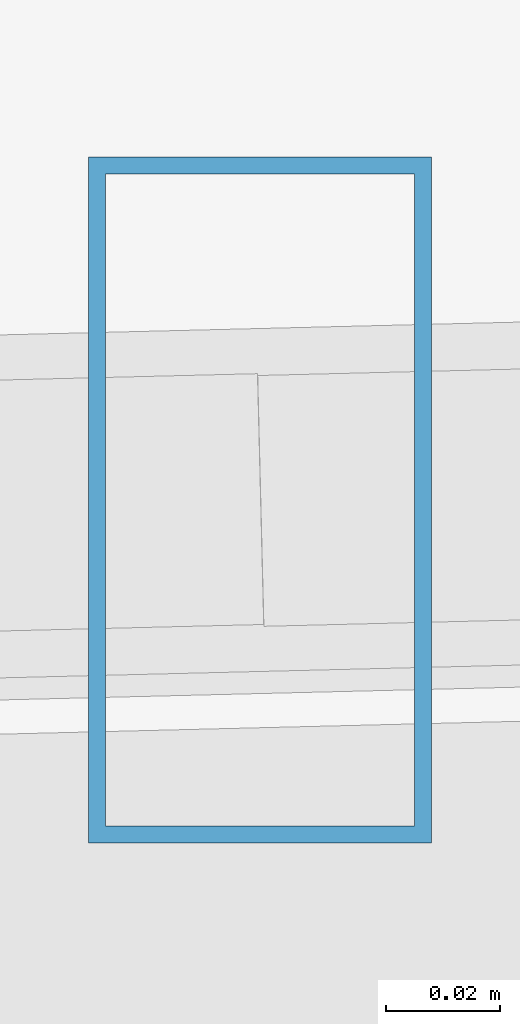
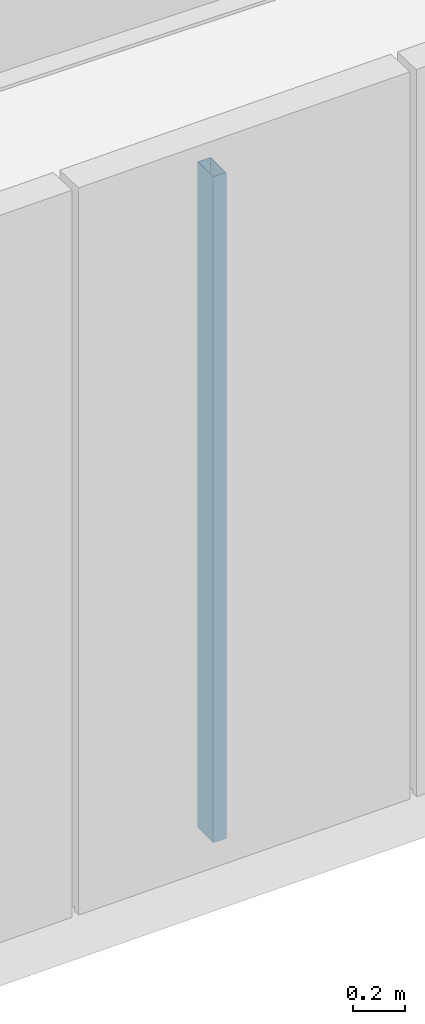
# One storey, part 5 of 44: 1 member, 1 element without a shape of its own.
"""IFC4 building model written with IfcOpenShell, lengths in metres."""

import ifcopenshell
import ifcopenshell.guid

model = None  # the IFC model being written
_history = None  # IfcOwnerHistory: only IFC2X3 demands one
_inside = {}  # id of a spatial element -> (the spatial element, [elements in it])
_under = {}  # id of a project, library or spatial element -> (it, [spatial elements below it])
_declared = {}  # id of a project -> (the project, [libraries it declares])
_typed = {}  # id of a type object -> (the type object, [elements of that type])
_made_of = {}  # id of a material, layer set ... -> (it, [elements and type objects made of it])


def new_model(schema):
    """Start an empty IFC model of exactly this schema.

    Asked for "IFC4X3", IfcOpenShell would pick the latest addendum, in which some entities
    have other attributes; the version numbers below select the first issue.
    IFC2X3 requires an IfcOwnerHistory on every rooted entity: one is made here for all.
    """
    global model, _history
    if schema == "IFC4X3":
        model = ifcopenshell.file(schema_version=(4, 3, 0, 0))
    else:
        model = ifcopenshell.file(schema=schema)
    _inside.clear()
    _under.clear()
    _declared.clear()
    _typed.clear()
    _made_of.clear()
    _history = None
    if model.schema == "IFC2X3":
        org = make("IfcOrganization", Name="unknown")
        user = make(
            "IfcPersonAndOrganization",
            ThePerson=make("IfcPerson", FamilyName="unknown"),
            TheOrganization=org,
        )
        app = make(
            "IfcApplication",
            ApplicationDeveloper=org,
            Version="unknown",
            ApplicationFullName="unknown",
            ApplicationIdentifier="unknown",
        )
        _history = make(
            "IfcOwnerHistory",
            OwningUser=user,
            OwningApplication=app,
            ChangeAction="ADDED",
            CreationDate=0,
        )
    return model


def make(cls, **values):
    """One entity of the class cls with the attributes given. An attribute that is None is left unset."""
    return model.create_entity(
        cls, **{name: value for name, value in values.items() if value is not None}
    )


def rooted(cls, **values):
    """An entity with a GlobalId (a new one), such as an element, a storey or a relation."""
    return make(cls, GlobalId=ifcopenshell.guid.new(), OwnerHistory=_history, **values)


def si_unit(unit_type, name, prefix=None):
    """IfcSIUnit, for example si_unit("LENGTHUNIT", "METRE", prefix="MILLI")."""
    return make("IfcSIUnit", UnitType=unit_type, Prefix=prefix, Name=name)


def assignment(units):
    """IfcUnitAssignment: the units of a project."""
    return None if units is None else make("IfcUnitAssignment", Units=units)


def point(xyz):
    """IfcCartesianPoint."""
    return None if xyz is None else make("IfcCartesianPoint", Coordinates=xyz)


def direction(xyz):
    """IfcDirection."""
    return None if xyz is None else make("IfcDirection", DirectionRatios=xyz)


def frame(location, z_axis=None, x_axis=None):
    """IfcAxis2Placement3D, a coordinate frame: its origin and axes. An axis left out is left unset."""
    return make(
        "IfcAxis2Placement3D",
        Location=point(location),
        Axis=direction(z_axis),
        RefDirection=direction(x_axis),
    )


def frame_2d(location, x_axis=None):
    """IfcAxis2Placement2D, a coordinate frame in the plane: its origin and x axis."""
    return make(
        "IfcAxis2Placement2D", Location=point(location), RefDirection=direction(x_axis)
    )


def origin():
    """The frame at (0, 0, 0) with its axes left unset."""
    return frame((0.0, 0.0, 0.0))


def origin_2d():
    """The frame at (0, 0) in the plane with its x axis left unset."""
    return frame_2d((0.0, 0.0))


def place(relative_to, where):
    """IfcLocalPlacement: puts the frame where relative to a parent placement (None: the world)."""
    return make(
        "IfcLocalPlacement", PlacementRelTo=relative_to, RelativePlacement=where
    )


def context(
    kind, dimensions, precision=None, world=None, true_north=None, identifier=None
):
    """IfcGeometricRepresentationContext, for example the 3D "Model" context."""
    return make(
        "IfcGeometricRepresentationContext",
        ContextIdentifier=identifier,
        ContextType=kind,
        CoordinateSpaceDimension=dimensions,
        Precision=precision,
        WorldCoordinateSystem=world,
        TrueNorth=true_north,
    )


def subcontext(parent, identifier, kind, view, scale=None):
    """IfcGeometricRepresentationSubContext, for example "Body" below "Model"."""
    return make(
        "IfcGeometricRepresentationSubContext",
        ContextIdentifier=identifier,
        ContextType=kind,
        ParentContext=parent,
        TargetScale=scale,
        TargetView=view,
    )


def project(units=None, contexts=None):
    """IfcProject with its units and contexts."""
    return rooted(
        "IfcProject",
        Name="project",
        RepresentationContexts=contexts,
        UnitsInContext=assignment(units),
    )


def spatial(cls, under=None, at=None, **own):
    """A site, building, storey or space (cls), placed at a placement, below another one or the project."""
    s = rooted(cls, ObjectPlacement=at, **own)
    if under is not None:
        _under.setdefault(under.id(), (under, []))[1].append(s)
    return s


def profile(cls, at=None, kind="AREA", **sizes):
    """A parametric profile (cls). Its sizes go by their IFC names, for example OverallWidth=200.0."""
    return make(cls, ProfileType=kind, Position=at, **sizes)


def hollow_rectangle(**sizes):
    """IfcRectangleHollowProfileDef."""
    return profile("IfcRectangleHollowProfileDef", **sizes)


def extrude(swept, where, along, depth):
    """IfcExtrudedAreaSolid: the profile swept, set in the frame where, extruded along a direction by depth."""
    return make(
        "IfcExtrudedAreaSolid",
        SweptArea=swept,
        Position=where,
        ExtrudedDirection=direction(along),
        Depth=depth,
    )


def shape(context_of_items, identifier, shape_type, items):
    """IfcShapeRepresentation: the items that make up one representation, for example the "Body"."""
    return make(
        "IfcShapeRepresentation",
        ContextOfItems=context_of_items,
        RepresentationIdentifier=identifier,
        RepresentationType=shape_type,
        Items=items,
    )


def source(mapping_origin, context_of_items, identifier, shape_type, items):
    """IfcRepresentationMap: a shape defined once, which mapped items show again and again."""
    return make(
        "IfcRepresentationMap",
        MappingOrigin=mapping_origin,
        MappedRepresentation=shape(context_of_items, identifier, shape_type, items),
    )


def transform(
    local_origin,
    x_axis=None,
    y_axis=None,
    z_axis=None,
    scale=None,
    scale2=None,
    scale3=None,
    uniform=True,
):
    """IfcCartesianTransformationOperator3D, or its non-uniform kind. x_axis, y_axis, z_axis: its Axis1, 2, 3."""
    if uniform:
        return make(
            "IfcCartesianTransformationOperator3D",
            Axis1=direction(x_axis),
            Axis2=direction(y_axis),
            LocalOrigin=point(local_origin),
            Scale=scale,
            Axis3=direction(z_axis),
        )
    return make(
        "IfcCartesianTransformationOperator3DnonUniform",
        Axis1=direction(x_axis),
        Axis2=direction(y_axis),
        LocalOrigin=point(local_origin),
        Scale=scale,
        Axis3=direction(z_axis),
        Scale2=scale2,
        Scale3=scale3,
    )


def mapped(mapping_source, mapping_target):
    """IfcMappedItem: shows the shape of a source again, moved by a transform."""
    return make(
        "IfcMappedItem", MappingSource=mapping_source, MappingTarget=mapping_target
    )


def material(Name=None, Category=None):
    """IfcMaterial."""
    return make("IfcMaterial", Name=Name, Category=Category)


def material_profile(
    of_material, cross_section, Name=None, Category=None, Priority=None
):
    """IfcMaterialProfile: a cross section and its material."""
    return make(
        "IfcMaterialProfile",
        Name=Name,
        Material=of_material,
        Profile=cross_section,
        Priority=Priority,
        Category=Category,
    )


def profile_set(profiles, Name=None, composite=None):
    """IfcMaterialProfileSet."""
    return make(
        "IfcMaterialProfileSet",
        Name=Name,
        MaterialProfiles=profiles,
        CompositeProfile=composite,
    )


def made_of(thing, what):
    """Note that an element or type object is made of a material, layer set ...; save() writes the relation."""
    if what is not None:
        _made_of.setdefault(what.id(), (what, []))[1].append(thing)
    return thing


def type_object(cls, material=None, **own):
    """A type object (cls), such as IfcWallType, which elements share."""
    return made_of(rooted(cls, **own), material)


def type_shapes(of_type, sources):
    """Give a type object the sources (RepresentationMaps) that its elements show as mapped items."""
    of_type.RepresentationMaps = sources


def element(
    cls,
    number,
    at=None,
    inside=None,
    cuts=None,
    type_object=None,
    material=None,
    context=None,
    identifier="Body",
    shape_type=None,
    held_by="IfcProductDefinitionShape",
    body=None,
    shapes=None,
    **own,
):
    """One element of the class cls, such as IfcWall. Its Tag is "e" and its number.

    at: its placement. inside: the storey or other place that contains it. cuts: it is an
    opening in that element (IfcRelVoidsElement). A single representation is given by context,
    identifier, shape_type and body (its items); several are given by shapes. held_by: the class
    of the entity that holds the representations. save() writes the other relations.
    """
    e = rooted(cls, Tag="e%d" % number, ObjectPlacement=at, **own)
    if body is not None:
        shapes = [shape(context, identifier, shape_type, body)]
    if shapes is not None:
        e.Representation = make(held_by, Representations=shapes)
    if inside is not None:
        _inside.setdefault(inside.id(), (inside, []))[1].append(e)
    if cuts is not None:
        rooted(
            "IfcRelVoidsElement", RelatingBuildingElement=cuts, RelatedOpeningElement=e
        )
    if type_object is not None:
        _typed.setdefault(type_object.id(), (type_object, []))[1].append(e)
    return made_of(e, material)


def aggregate(whole, parts):
    """IfcRelAggregates: a whole, such as a stair, and the parts it consists of."""
    return rooted("IfcRelAggregates", RelatingObject=whole, RelatedObjects=parts)


def save(model, path):
    """Write the relations noted so far, then the file.

    IfcRelAggregates (storeys below a building ...), IfcRelContainedInSpatialStructure (elements
    in a storey), IfcRelDefinesByType, IfcRelAssociatesMaterial and IfcRelDeclares: one each for
    every whole, place, type object, material and project.
    """
    for whole, parts in _under.values():
        aggregate(whole, parts)
    for where, things in _inside.values():
        rooted(
            "IfcRelContainedInSpatialStructure",
            RelatedElements=things,
            RelatingStructure=where,
        )
    for kind, things in _typed.values():
        rooted("IfcRelDefinesByType", RelatedObjects=things, RelatingType=kind)
    for what, things in _made_of.values():
        rooted("IfcRelAssociatesMaterial", RelatedObjects=things, RelatingMaterial=what)
    for by, libraries in _declared.values():
        rooted("IfcRelDeclares", RelatingContext=by, RelatedDefinitions=libraries)
    model.write(path)


model = new_model("IFC4")

# Units and contexts
model_context = context("Model", 3, precision=1e-05, world=origin(), true_north=direction((0.0, 1.0)))
body_context = subcontext(model_context, "Body", "Model", "MODEL_VIEW")
ifc_project = project(units=[si_unit("LENGTHUNIT", "METRE"), si_unit("AREAUNIT", "SQUARE_METRE"), si_unit("VOLUMEUNIT", "CUBIC_METRE"), si_unit("PLANEANGLEUNIT", "RADIAN"), si_unit("MASSUNIT", "GRAM", prefix="KILO")], contexts=[model_context])

# Site, building, storey
site_placement = place(None, origin())
site = spatial("IfcSite", under=ifc_project, at=site_placement, CompositionType="ELEMENT")
building_placement = place(site_placement, origin())
building = spatial("IfcBuilding", under=site, at=building_placement, Name="Caelisora Broadcast Tower", CompositionType="ELEMENT")
storey_placement = place(building_placement, frame((0.0, 0.0, 296.60009765625)))
storey = spatial("IfcBuildingStorey", under=building, at=storey_placement, Name="L78", CompositionType="ELEMENT", Elevation=296.60009765625)

# Curtain wall, member
ifc_material_1 = material(Name="Unitised Aluminium Insulated Shadow-Box Spandrel Curtain Wall", Category="aluminium")
curtain_wall_type = type_object("IfcCurtainWallType", Name="CW-SP3", PredefinedType="NOTDEFINED", material=ifc_material_1)
curtain_wall_placement = place(storey_placement, origin())
curtain_wall = element("IfcCurtainWall", 1, at=curtain_wall_placement, inside=storey, type_object=curtain_wall_type, Name="L78 curtain wall CW-SP3", PredefinedType="NOTDEFINED")
ifc_material_2 = material(Name="Aluminium 6063-T6 Anodised Terracotta Bronze", Category="aluminium")
ifc_material_profile = material_profile(ifc_material_2, hollow_rectangle(XDim=0.06005859375, YDim=0.1201171875, WallThickness=0.0029296875, at=origin_2d()), Name="Aluminium 6063-T6 Anodised Terracotta Bronze")
ifc_profile_set = profile_set([ifc_material_profile], Name="Aluminium 6063-T6 Anodised Terracotta Bronze")
member_type = type_object("IfcMemberType", Name="CWM-04", PredefinedType="MULLION", material=ifc_profile_set)
shared_shape = source(origin(), body_context, "Body", "SweptSolid", [
    extrude(hollow_rectangle(XDim=0.06005859375, YDim=0.1201171875, WallThickness=0.0029296875, at=origin_2d()), origin(), (0.0, 0.0, 1.0), 3.14990234375),
])
type_shapes(member_type, [shared_shape])
member_placement = place(storey_placement, frame((25.2294921875, 8.67724609375, 0.0), z_axis=(0.0, 0.0, 1.0), x_axis=(1.0, 0.0, 0.0)))
member = element("IfcMember", 2, at=member_placement, type_object=member_type, Name="L78-CW-B07 mullion #1", PredefinedType="MULLION", context=body_context, shape_type="MappedRepresentation", body=[
    mapped(shared_shape, transform((0.0, 0.0, 0.0), scale=1.0)),
])
aggregate(curtain_wall, [member])

save(model, "model.ifc")
